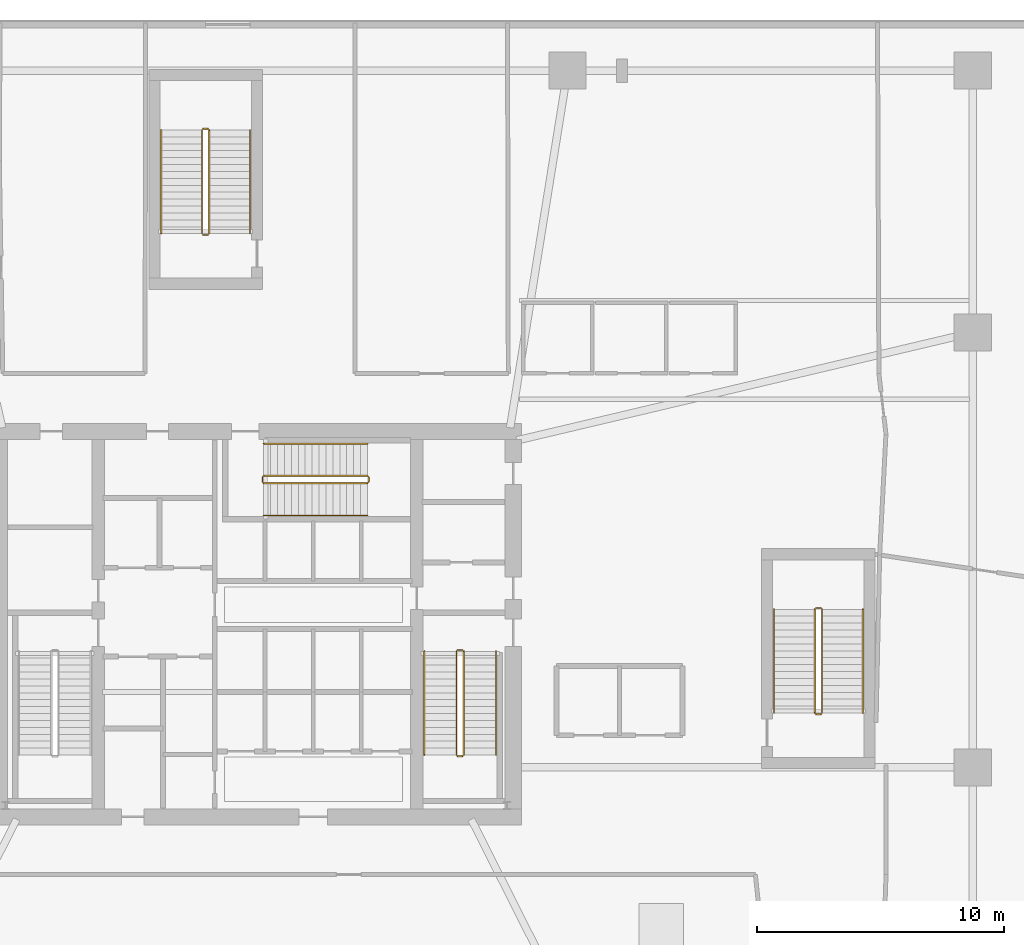
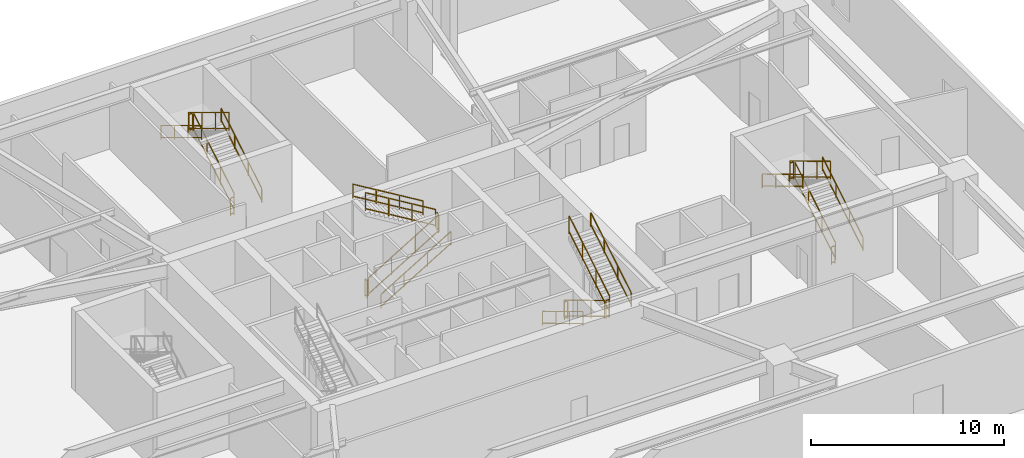
# One storey, part 10 of 11: 24 railings.
"""IFC4 building model written with IfcOpenShell, lengths in metres."""

from ifc_helpers import new_model, si_unit, direction, frame, origin, origin_2d, place, context, subcontext, project, spatial, rectangle, extrude, material, type_object, element, save


model = new_model("IFC4")

# Units and contexts
model_context = context("Model", 3, precision=1e-05, world=origin(), true_north=direction((0.0, 1.0)))
body_context = subcontext(model_context, "Body", "Model", "MODEL_VIEW")
ifc_project = project(units=[si_unit("LENGTHUNIT", "METRE"), si_unit("AREAUNIT", "SQUARE_METRE"), si_unit("VOLUMEUNIT", "CUBIC_METRE"), si_unit("PLANEANGLEUNIT", "RADIAN"), si_unit("MASSUNIT", "GRAM", prefix="KILO")], contexts=[model_context])

# Site, building, storey
site_placement = place(None, origin())
site = spatial("IfcSite", under=ifc_project, at=site_placement, CompositionType="ELEMENT")
building_placement = place(site_placement, origin())
building = spatial("IfcBuilding", under=site, at=building_placement, Name="Qarnah Convention Tower", CompositionType="ELEMENT")
storey_placement = place(building_placement, frame((0.0, 0.0, 10.800048828125)))
storey = spatial("IfcBuildingStorey", under=building, at=storey_placement, Name="L02", CompositionType="ELEMENT", Elevation=10.800048828125)

# Railings
ifc_material = material(Name="Structural steel S355JR", Category="steel")
railing_type_1 = type_object("IfcRailingType", Name="RL-STAIR-GUARD-1150", PredefinedType="GUARDRAIL", material=ifc_material)
railing_1_placement = place(storey_placement, frame((45.300048828125, 25.300048828125, 0.168701171875)))
element("IfcRailing", 1, at=railing_1_placement, inside=storey, type_object=railing_type_1, Name="L02 ST-2 stair guard 1", PredefinedType="GUARDRAIL", context=body_context, shape_type="SweptSolid", body=[
    extrude(rectangle(XDim=0.048095703125, YDim=0.048095703125, at=origin_2d()), frame((0.0, 0.0, 1.1259765625), z_axis=(0.0, -0.856476492594, 0.516186030065), x_axis=(1.0, 0.0, 0.0)), (0.0, 0.0, 1.0), 4.90380859375),
    extrude(rectangle(XDim=0.048095703125, YDim=0.048095703125, at=origin_2d()), frame((0.0, 0.0, 0.1201171875), z_axis=(0.0, -0.856476492594, 0.516186030065), x_axis=(1.0, 0.0, 0.0)), (0.0, 0.0, 1.0), 4.90380859375),
    extrude(rectangle(XDim=0.0419921875, YDim=0.0419921875, at=origin_2d()), origin(), (0.0, 0.0, 1.0), 1.101806640625),
    extrude(rectangle(XDim=0.0419921875, YDim=0.0419921875, at=origin_2d()), frame((0.0, -1.39990234375, 0.84375)), (0.0, 0.0, 1.0), 1.101806640625),
    extrude(rectangle(XDim=0.0419921875, YDim=0.0419921875, at=origin_2d()), frame((0.0, -2.800048828125, 1.6875)), (0.0, 0.0, 1.0), 1.101806640625),
    extrude(rectangle(XDim=0.0419921875, YDim=0.0419921875, at=origin_2d()), frame((0.0, -4.199951171875, 2.53125)), (0.0, 0.0, 1.0), 1.101806640625),
])
railing_2_placement = place(storey_placement, frame((45.35009765625, 21.050048828125, 2.699951171875)))
element("IfcRailing", 2, at=railing_2_placement, inside=storey, type_object=railing_type_1, Name="L02 ST-2 stair guard 2", PredefinedType="GUARDRAIL", context=body_context, shape_type="SweptSolid", body=[
    extrude(rectangle(XDim=0.048095703125, YDim=0.048095703125, at=origin_2d()), frame((0.0, 0.0, 1.1259765625), z_axis=(1.0, 0.0, 0.0), x_axis=(0.0, 1.0, 0.0)), (0.0, 0.0, 1.0), 0.199951171875),
    extrude(rectangle(XDim=0.048095703125, YDim=0.048095703125, at=origin_2d()), frame((0.0, 0.0, 0.1201171875), z_axis=(1.0, 0.0, 0.0), x_axis=(0.0, 1.0, 0.0)), (0.0, 0.0, 1.0), 0.199951171875),
    extrude(rectangle(XDim=0.0419921875, YDim=0.0419921875, at=origin_2d()), origin(), (0.0, 0.0, 1.0), 1.101806640625),
    extrude(rectangle(XDim=0.0419921875, YDim=0.0419921875, at=origin_2d()), frame((0.199951171875, 0.0, 0.0)), (0.0, 0.0, 1.0), 1.101806640625),
])
railing_3_placement = place(storey_placement, frame((45.60009765625, 21.10009765625, 2.86865234375)))
element("IfcRailing", 3, at=railing_3_placement, inside=storey, type_object=railing_type_1, Name="L02 ST-2 stair guard 3", PredefinedType="GUARDRAIL", context=body_context, shape_type="SweptSolid", body=[
    extrude(rectangle(XDim=0.048095703125, YDim=0.048095703125, at=origin_2d()), frame((0.0, 0.0, 1.1259765625), z_axis=(0.0, 0.856476492594, 0.516186030065), x_axis=(-1.0, 0.0, 0.0)), (0.0, 0.0, 1.0), 4.90380859375),
    extrude(rectangle(XDim=0.048095703125, YDim=0.048095703125, at=origin_2d()), frame((0.0, 0.0, 0.1201171875), z_axis=(0.0, 0.856476492594, 0.516186030065), x_axis=(-1.0, 0.0, 0.0)), (0.0, 0.0, 1.0), 4.90380859375),
    extrude(rectangle(XDim=0.0419921875, YDim=0.0419921875, at=origin_2d()), origin(), (0.0, 0.0, 1.0), 1.101806640625),
    extrude(rectangle(XDim=0.0419921875, YDim=0.0419921875, at=origin_2d()), frame((0.0, 1.39990234375, 0.84375)), (0.0, 0.0, 1.0), 1.101806640625),
    extrude(rectangle(XDim=0.0419921875, YDim=0.0419921875, at=origin_2d()), frame((0.0, 2.800048828125, 1.6875)), (0.0, 0.0, 1.0), 1.101806640625),
    extrude(rectangle(XDim=0.0419921875, YDim=0.0419921875, at=origin_2d()), frame((0.0, 4.199951171875, 2.53125)), (0.0, 0.0, 1.0), 1.101806640625),
])
railing_4_placement = place(storey_placement, frame((45.35009765625, 25.35009765625, 0.0)))
element("IfcRailing", 4, at=railing_4_placement, inside=storey, type_object=railing_type_1, Name="L02 ST-2 stair guard 4", PredefinedType="GUARDRAIL", context=body_context, shape_type="SweptSolid", body=[
    extrude(rectangle(XDim=0.048095703125, YDim=0.048095703125, at=origin_2d()), frame((0.0, 0.0, 1.1259765625), z_axis=(1.0, 0.0, 0.0), x_axis=(0.0, 1.0, 0.0)), (0.0, 0.0, 1.0), 0.199951171875),
    extrude(rectangle(XDim=0.048095703125, YDim=0.048095703125, at=origin_2d()), frame((0.0, 0.0, 0.1201171875), z_axis=(1.0, 0.0, 0.0), x_axis=(0.0, 1.0, 0.0)), (0.0, 0.0, 1.0), 0.199951171875),
    extrude(rectangle(XDim=0.0419921875, YDim=0.0419921875, at=origin_2d()), origin(), (0.0, 0.0, 1.0), 1.101806640625),
    extrude(rectangle(XDim=0.0419921875, YDim=0.0419921875, at=origin_2d()), frame((0.199951171875, 0.0, 0.0)), (0.0, 0.0, 1.0), 1.101806640625),
])
railing_5_placement = place(storey_placement, frame((37.5, 32.10009765625, 0.168701171875)))
element("IfcRailing", 5, at=railing_5_placement, inside=storey, type_object=railing_type_1, Name="L02 ST-3 stair guard 1", PredefinedType="GUARDRAIL", context=body_context, shape_type="SweptSolid", body=[
    extrude(rectangle(XDim=0.048095703125, YDim=0.048095703125, at=origin_2d()), frame((0.0, 0.0, 1.1259765625), z_axis=(0.856476492594, 0.0, 0.516186030065), x_axis=(0.0, 1.0, 0.0)), (0.0, 0.0, 1.0), 4.90380859375),
    extrude(rectangle(XDim=0.048095703125, YDim=0.048095703125, at=origin_2d()), frame((0.0, 0.0, 0.1201171875), z_axis=(0.856476492594, 0.0, 0.516186030065), x_axis=(0.0, 1.0, 0.0)), (0.0, 0.0, 1.0), 4.90380859375),
    extrude(rectangle(XDim=0.0419921875, YDim=0.0419921875, at=origin_2d()), origin(), (0.0, 0.0, 1.0), 1.101806640625),
    extrude(rectangle(XDim=0.0419921875, YDim=0.0419921875, at=origin_2d()), frame((1.39990234375, 0.0, 0.84375)), (0.0, 0.0, 1.0), 1.101806640625),
    extrude(rectangle(XDim=0.0419921875, YDim=0.0419921875, at=origin_2d()), frame((2.800048828125, 0.0, 1.6875)), (0.0, 0.0, 1.0), 1.101806640625),
    extrude(rectangle(XDim=0.0419921875, YDim=0.0419921875, at=origin_2d()), frame((4.199951171875, 0.0, 2.53125)), (0.0, 0.0, 1.0), 1.101806640625),
])
railing_6_placement = place(storey_placement, frame((41.75, 32.14990234375, 2.699951171875)))
element("IfcRailing", 6, at=railing_6_placement, inside=storey, type_object=railing_type_1, Name="L02 ST-3 stair guard 2", PredefinedType="GUARDRAIL", context=body_context, shape_type="SweptSolid", body=[
    extrude(rectangle(XDim=0.048095703125, YDim=0.048095703125, at=origin_2d()), frame((0.0, 0.0, 1.1259765625), z_axis=(0.0, 1.0, 0.0), x_axis=(-1.0, 0.0, 0.0)), (0.0, 0.0, 1.0), 0.2001953125),
    extrude(rectangle(XDim=0.048095703125, YDim=0.048095703125, at=origin_2d()), frame((0.0, 0.0, 0.1201171875), z_axis=(0.0, 1.0, 0.0), x_axis=(-1.0, 0.0, 0.0)), (0.0, 0.0, 1.0), 0.2001953125),
    extrude(rectangle(XDim=0.0419921875, YDim=0.0419921875, at=origin_2d()), origin(), (0.0, 0.0, 1.0), 1.101806640625),
    extrude(rectangle(XDim=0.0419921875, YDim=0.0419921875, at=origin_2d()), frame((0.0, 0.2001953125, 0.0)), (0.0, 0.0, 1.0), 1.101806640625),
])
railing_7_placement = place(storey_placement, frame((41.699951171875, 32.39990234375, 2.86865234375)))
element("IfcRailing", 7, at=railing_7_placement, inside=storey, type_object=railing_type_1, Name="L02 ST-3 stair guard 3", PredefinedType="GUARDRAIL", context=body_context, shape_type="SweptSolid", body=[
    extrude(rectangle(XDim=0.048095703125, YDim=0.048095703125, at=origin_2d()), frame((0.0, 0.0, 1.1259765625), z_axis=(-0.856476492594, 0.0, 0.516186030065), x_axis=(0.0, -1.0, 0.0)), (0.0, 0.0, 1.0), 4.90380859375),
    extrude(rectangle(XDim=0.048095703125, YDim=0.048095703125, at=origin_2d()), frame((0.0, 0.0, 0.1201171875), z_axis=(-0.856476492594, 0.0, 0.516186030065), x_axis=(0.0, -1.0, 0.0)), (0.0, 0.0, 1.0), 4.90380859375),
    extrude(rectangle(XDim=0.0419921875, YDim=0.0419921875, at=origin_2d()), origin(), (0.0, 0.0, 1.0), 1.101806640625),
    extrude(rectangle(XDim=0.0419921875, YDim=0.0419921875, at=origin_2d()), frame((-1.39990234375, 0.0, 0.84375)), (0.0, 0.0, 1.0), 1.101806640625),
    extrude(rectangle(XDim=0.0419921875, YDim=0.0419921875, at=origin_2d()), frame((-2.800048828125, 0.0, 1.6875)), (0.0, 0.0, 1.0), 1.101806640625),
    extrude(rectangle(XDim=0.0419921875, YDim=0.0419921875, at=origin_2d()), frame((-4.199951171875, 0.0, 2.53125)), (0.0, 0.0, 1.0), 1.101806640625),
])
railing_8_placement = place(storey_placement, frame((37.449951171875, 32.14990234375, 0.0)))
element("IfcRailing", 8, at=railing_8_placement, inside=storey, type_object=railing_type_1, Name="L02 ST-3 stair guard 4", PredefinedType="GUARDRAIL", context=body_context, shape_type="SweptSolid", body=[
    extrude(rectangle(XDim=0.048095703125, YDim=0.048095703125, at=origin_2d()), frame((0.0, 0.0, 1.1259765625), z_axis=(0.0, 1.0, 0.0), x_axis=(-1.0, 0.0, 0.0)), (0.0, 0.0, 1.0), 0.2001953125),
    extrude(rectangle(XDim=0.048095703125, YDim=0.048095703125, at=origin_2d()), frame((0.0, 0.0, 0.1201171875), z_axis=(0.0, 1.0, 0.0), x_axis=(-1.0, 0.0, 0.0)), (0.0, 0.0, 1.0), 0.2001953125),
    extrude(rectangle(XDim=0.0419921875, YDim=0.0419921875, at=origin_2d()), origin(), (0.0, 0.0, 1.0), 1.101806640625),
    extrude(rectangle(XDim=0.0419921875, YDim=0.0419921875, at=origin_2d()), frame((0.0, 0.2001953125, 0.0)), (0.0, 0.0, 1.0), 1.101806640625),
])
railing_9_placement = place(storey_placement, frame((60.10009765625, 22.800048828125, 0.168701171875)))
element("IfcRailing", 9, at=railing_9_placement, inside=storey, type_object=railing_type_1, Name="L02 ST-4 stair guard 1", PredefinedType="GUARDRAIL", context=body_context, shape_type="SweptSolid", body=[
    extrude(rectangle(XDim=0.048095703125, YDim=0.048095703125, at=origin_2d()), frame((0.0, 0.0, 1.1259765625), z_axis=(0.0, 0.856476492594, 0.516186030065), x_axis=(-1.0, 0.0, 0.0)), (0.0, 0.0, 1.0), 4.90380859375),
    extrude(rectangle(XDim=0.048095703125, YDim=0.048095703125, at=origin_2d()), frame((0.0, 0.0, 0.1201171875), z_axis=(0.0, 0.856476492594, 0.516186030065), x_axis=(-1.0, 0.0, 0.0)), (0.0, 0.0, 1.0), 4.90380859375),
    extrude(rectangle(XDim=0.0419921875, YDim=0.0419921875, at=origin_2d()), origin(), (0.0, 0.0, 1.0), 1.101806640625),
    extrude(rectangle(XDim=0.0419921875, YDim=0.0419921875, at=origin_2d()), frame((0.0, 1.39990234375, 0.84375)), (0.0, 0.0, 1.0), 1.101806640625),
    extrude(rectangle(XDim=0.0419921875, YDim=0.0419921875, at=origin_2d()), frame((0.0, 2.800048828125, 1.6875)), (0.0, 0.0, 1.0), 1.101806640625),
    extrude(rectangle(XDim=0.0419921875, YDim=0.0419921875, at=origin_2d()), frame((0.0, 4.199951171875, 2.53125)), (0.0, 0.0, 1.0), 1.101806640625),
])
railing_10_placement = place(storey_placement, frame((60.050048828125, 27.050048828125, 2.699951171875)))
element("IfcRailing", 10, at=railing_10_placement, inside=storey, type_object=railing_type_1, Name="L02 ST-4 stair guard 2", PredefinedType="GUARDRAIL", context=body_context, shape_type="SweptSolid", body=[
    extrude(rectangle(XDim=0.048095703125, YDim=0.048095703125, at=origin_2d()), frame((0.0, 0.0, 1.1259765625), z_axis=(-1.0, 0.0, 0.0), x_axis=(0.0, -1.0, 0.0)), (0.0, 0.0, 1.0), 0.199951171875),
    extrude(rectangle(XDim=0.048095703125, YDim=0.048095703125, at=origin_2d()), frame((0.0, 0.0, 0.1201171875), z_axis=(-1.0, 0.0, 0.0), x_axis=(0.0, -1.0, 0.0)), (0.0, 0.0, 1.0), 0.199951171875),
    extrude(rectangle(XDim=0.0419921875, YDim=0.0419921875, at=origin_2d()), origin(), (0.0, 0.0, 1.0), 1.101806640625),
    extrude(rectangle(XDim=0.0419921875, YDim=0.0419921875, at=origin_2d()), frame((-0.199951171875, 0.0, 0.0)), (0.0, 0.0, 1.0), 1.101806640625),
])
railing_11_placement = place(storey_placement, frame((59.800048828125, 27.0, 2.86865234375)))
element("IfcRailing", 11, at=railing_11_placement, inside=storey, type_object=railing_type_1, Name="L02 ST-4 stair guard 3", PredefinedType="GUARDRAIL", context=body_context, shape_type="SweptSolid", body=[
    extrude(rectangle(XDim=0.048095703125, YDim=0.048095703125, at=origin_2d()), frame((0.0, 0.0, 1.1259765625), z_axis=(0.0, -0.856476492594, 0.516186030065), x_axis=(1.0, 0.0, 0.0)), (0.0, 0.0, 1.0), 4.90380859375),
    extrude(rectangle(XDim=0.048095703125, YDim=0.048095703125, at=origin_2d()), frame((0.0, 0.0, 0.1201171875), z_axis=(0.0, -0.856476492594, 0.516186030065), x_axis=(1.0, 0.0, 0.0)), (0.0, 0.0, 1.0), 4.90380859375),
    extrude(rectangle(XDim=0.0419921875, YDim=0.0419921875, at=origin_2d()), origin(), (0.0, 0.0, 1.0), 1.101806640625),
    extrude(rectangle(XDim=0.0419921875, YDim=0.0419921875, at=origin_2d()), frame((0.0, -1.39990234375, 0.84375)), (0.0, 0.0, 1.0), 1.101806640625),
    extrude(rectangle(XDim=0.0419921875, YDim=0.0419921875, at=origin_2d()), frame((0.0, -2.800048828125, 1.6875)), (0.0, 0.0, 1.0), 1.101806640625),
    extrude(rectangle(XDim=0.0419921875, YDim=0.0419921875, at=origin_2d()), frame((0.0, -4.199951171875, 2.53125)), (0.0, 0.0, 1.0), 1.101806640625),
])
railing_12_placement = place(storey_placement, frame((60.050048828125, 22.75, 0.0)))
element("IfcRailing", 12, at=railing_12_placement, inside=storey, type_object=railing_type_1, Name="L02 ST-4 stair guard 4", PredefinedType="GUARDRAIL", context=body_context, shape_type="SweptSolid", body=[
    extrude(rectangle(XDim=0.048095703125, YDim=0.048095703125, at=origin_2d()), frame((0.0, 0.0, 1.1259765625), z_axis=(-1.0, 0.0, 0.0), x_axis=(0.0, -1.0, 0.0)), (0.0, 0.0, 1.0), 0.199951171875),
    extrude(rectangle(XDim=0.048095703125, YDim=0.048095703125, at=origin_2d()), frame((0.0, 0.0, 0.1201171875), z_axis=(-1.0, 0.0, 0.0), x_axis=(0.0, -1.0, 0.0)), (0.0, 0.0, 1.0), 0.199951171875),
    extrude(rectangle(XDim=0.0419921875, YDim=0.0419921875, at=origin_2d()), origin(), (0.0, 0.0, 1.0), 1.101806640625),
    extrude(rectangle(XDim=0.0419921875, YDim=0.0419921875, at=origin_2d()), frame((-0.199951171875, 0.0, 0.0)), (0.0, 0.0, 1.0), 1.101806640625),
])
railing_13_placement = place(storey_placement, frame((35.300048828125, 42.199951171875, 0.168701171875)))
element("IfcRailing", 13, at=railing_13_placement, inside=storey, type_object=railing_type_1, Name="L02 ST-6 stair guard 1", PredefinedType="GUARDRAIL", context=body_context, shape_type="SweptSolid", body=[
    extrude(rectangle(XDim=0.048095703125, YDim=0.048095703125, at=origin_2d()), frame((0.0, 0.0, 1.1259765625), z_axis=(0.0, 0.856476492594, 0.516186030065), x_axis=(-1.0, 0.0, 0.0)), (0.0, 0.0, 1.0), 4.90380859375),
    extrude(rectangle(XDim=0.048095703125, YDim=0.048095703125, at=origin_2d()), frame((0.0, 0.0, 0.1201171875), z_axis=(0.0, 0.856476492594, 0.516186030065), x_axis=(-1.0, 0.0, 0.0)), (0.0, 0.0, 1.0), 4.90380859375),
    extrude(rectangle(XDim=0.0419921875, YDim=0.0419921875, at=origin_2d()), origin(), (0.0, 0.0, 1.0), 1.101806640625),
    extrude(rectangle(XDim=0.0419921875, YDim=0.0419921875, at=origin_2d()), frame((0.0, 1.39990234375, 0.84375)), (0.0, 0.0, 1.0), 1.101806640625),
    extrude(rectangle(XDim=0.0419921875, YDim=0.0419921875, at=origin_2d()), frame((0.0, 2.800048828125, 1.6875)), (0.0, 0.0, 1.0), 1.101806640625),
    extrude(rectangle(XDim=0.0419921875, YDim=0.0419921875, at=origin_2d()), frame((0.0, 4.199951171875, 2.53125)), (0.0, 0.0, 1.0), 1.101806640625),
])
railing_14_placement = place(storey_placement, frame((35.25, 46.449951171875, 2.699951171875)))
element("IfcRailing", 14, at=railing_14_placement, inside=storey, type_object=railing_type_1, Name="L02 ST-6 stair guard 2", PredefinedType="GUARDRAIL", context=body_context, shape_type="SweptSolid", body=[
    extrude(rectangle(XDim=0.048095703125, YDim=0.048095703125, at=origin_2d()), frame((0.0, 0.0, 1.1259765625), z_axis=(-1.0, 0.0, 0.0), x_axis=(0.0, -1.0, 0.0)), (0.0, 0.0, 1.0), 0.199951171875),
    extrude(rectangle(XDim=0.048095703125, YDim=0.048095703125, at=origin_2d()), frame((0.0, 0.0, 0.1201171875), z_axis=(-1.0, 0.0, 0.0), x_axis=(0.0, -1.0, 0.0)), (0.0, 0.0, 1.0), 0.199951171875),
    extrude(rectangle(XDim=0.0419921875, YDim=0.0419921875, at=origin_2d()), origin(), (0.0, 0.0, 1.0), 1.101806640625),
    extrude(rectangle(XDim=0.0419921875, YDim=0.0419921875, at=origin_2d()), frame((-0.199951171875, 0.0, 0.0)), (0.0, 0.0, 1.0), 1.101806640625),
])
railing_15_placement = place(storey_placement, frame((35.0, 46.39990234375, 2.86865234375)))
element("IfcRailing", 15, at=railing_15_placement, inside=storey, type_object=railing_type_1, Name="L02 ST-6 stair guard 3", PredefinedType="GUARDRAIL", context=body_context, shape_type="SweptSolid", body=[
    extrude(rectangle(XDim=0.048095703125, YDim=0.048095703125, at=origin_2d()), frame((0.0, 0.0, 1.1259765625), z_axis=(0.0, -0.856476492594, 0.516186030065), x_axis=(1.0, 0.0, 0.0)), (0.0, 0.0, 1.0), 4.90380859375),
    extrude(rectangle(XDim=0.048095703125, YDim=0.048095703125, at=origin_2d()), frame((0.0, 0.0, 0.1201171875), z_axis=(0.0, -0.856476492594, 0.516186030065), x_axis=(1.0, 0.0, 0.0)), (0.0, 0.0, 1.0), 4.90380859375),
    extrude(rectangle(XDim=0.0419921875, YDim=0.0419921875, at=origin_2d()), origin(), (0.0, 0.0, 1.0), 1.101806640625),
    extrude(rectangle(XDim=0.0419921875, YDim=0.0419921875, at=origin_2d()), frame((0.0, -1.39990234375, 0.84375)), (0.0, 0.0, 1.0), 1.101806640625),
    extrude(rectangle(XDim=0.0419921875, YDim=0.0419921875, at=origin_2d()), frame((0.0, -2.800048828125, 1.6875)), (0.0, 0.0, 1.0), 1.101806640625),
    extrude(rectangle(XDim=0.0419921875, YDim=0.0419921875, at=origin_2d()), frame((0.0, -4.199951171875, 2.53125)), (0.0, 0.0, 1.0), 1.101806640625),
])
railing_16_placement = place(storey_placement, frame((35.25, 42.14990234375, 0.0)))
element("IfcRailing", 16, at=railing_16_placement, inside=storey, type_object=railing_type_1, Name="L02 ST-6 stair guard 4", PredefinedType="GUARDRAIL", context=body_context, shape_type="SweptSolid", body=[
    extrude(rectangle(XDim=0.048095703125, YDim=0.048095703125, at=origin_2d()), frame((0.0, 0.0, 1.1259765625), z_axis=(-1.0, 0.0, 0.0), x_axis=(0.0, -1.0, 0.0)), (0.0, 0.0, 1.0), 0.199951171875),
    extrude(rectangle(XDim=0.048095703125, YDim=0.048095703125, at=origin_2d()), frame((0.0, 0.0, 0.1201171875), z_axis=(-1.0, 0.0, 0.0), x_axis=(0.0, -1.0, 0.0)), (0.0, 0.0, 1.0), 0.199951171875),
    extrude(rectangle(XDim=0.0419921875, YDim=0.0419921875, at=origin_2d()), origin(), (0.0, 0.0, 1.0), 1.101806640625),
    extrude(rectangle(XDim=0.0419921875, YDim=0.0419921875, at=origin_2d()), frame((-0.199951171875, 0.0, 0.0)), (0.0, 0.0, 1.0), 1.101806640625),
])
railing_type_2 = type_object("IfcRailingType", Name="RL-STAIR-HAND-900", PredefinedType="HANDRAIL", material=ifc_material)
railing_17_placement = place(storey_placement, frame((44.0, 25.300048828125, 0.168701171875)))
element("IfcRailing", 17, at=railing_17_placement, inside=storey, type_object=railing_type_2, Name="L02 ST-2 stair handrail 1", PredefinedType="HANDRAIL", context=body_context, shape_type="SweptSolid", body=[
    extrude(rectangle(XDim=0.048095703125, YDim=0.048095703125, at=origin_2d()), frame((0.0, 0.0, 0.8759765625), z_axis=(0.0, -0.856476492594, 0.516186030065), x_axis=(1.0, 0.0, 0.0)), (0.0, 0.0, 1.0), 4.90380859375),
    extrude(rectangle(XDim=0.048095703125, YDim=0.048095703125, at=origin_2d()), frame((0.0, 0.0, 0.1201171875), z_axis=(0.0, -0.856476492594, 0.516186030065), x_axis=(1.0, 0.0, 0.0)), (0.0, 0.0, 1.0), 4.90380859375),
    extrude(rectangle(XDim=0.0419921875, YDim=0.0419921875, at=origin_2d()), origin(), (0.0, 0.0, 1.0), 0.851806640625),
    extrude(rectangle(XDim=0.0419921875, YDim=0.0419921875, at=origin_2d()), frame((0.0, -1.39990234375, 0.84375)), (0.0, 0.0, 1.0), 0.851806640625),
    extrude(rectangle(XDim=0.0419921875, YDim=0.0419921875, at=origin_2d()), frame((0.0, -2.800048828125, 1.6875)), (0.0, 0.0, 1.0), 0.851806640625),
    extrude(rectangle(XDim=0.0419921875, YDim=0.0419921875, at=origin_2d()), frame((0.0, -4.199951171875, 2.53125)), (0.0, 0.0, 1.0), 0.851806640625),
])
railing_18_placement = place(storey_placement, frame((46.89990234375, 21.10009765625, 2.86865234375)))
element("IfcRailing", 18, at=railing_18_placement, inside=storey, type_object=railing_type_2, Name="L02 ST-2 stair handrail 2", PredefinedType="HANDRAIL", context=body_context, shape_type="SweptSolid", body=[
    extrude(rectangle(XDim=0.048095703125, YDim=0.048095703125, at=origin_2d()), frame((0.0, 0.0, 0.8759765625), z_axis=(0.0, 0.856476492594, 0.516186030065), x_axis=(-1.0, 0.0, 0.0)), (0.0, 0.0, 1.0), 4.90380859375),
    extrude(rectangle(XDim=0.048095703125, YDim=0.048095703125, at=origin_2d()), frame((0.0, 0.0, 0.1201171875), z_axis=(0.0, 0.856476492594, 0.516186030065), x_axis=(-1.0, 0.0, 0.0)), (0.0, 0.0, 1.0), 4.90380859375),
    extrude(rectangle(XDim=0.0419921875, YDim=0.0419921875, at=origin_2d()), origin(), (0.0, 0.0, 1.0), 0.851806640625),
    extrude(rectangle(XDim=0.0419921875, YDim=0.0419921875, at=origin_2d()), frame((0.0, 1.39990234375, 0.84375)), (0.0, 0.0, 1.0), 0.851806640625),
    extrude(rectangle(XDim=0.0419921875, YDim=0.0419921875, at=origin_2d()), frame((0.0, 2.800048828125, 1.6875)), (0.0, 0.0, 1.0), 0.851806640625),
    extrude(rectangle(XDim=0.0419921875, YDim=0.0419921875, at=origin_2d()), frame((0.0, 4.199951171875, 2.53125)), (0.0, 0.0, 1.0), 0.851806640625),
])
railing_19_placement = place(storey_placement, frame((37.5, 30.800048828125, 0.168701171875)))
element("IfcRailing", 19, at=railing_19_placement, inside=storey, type_object=railing_type_2, Name="L02 ST-3 stair handrail 1", PredefinedType="HANDRAIL", context=body_context, shape_type="SweptSolid", body=[
    extrude(rectangle(XDim=0.048095703125, YDim=0.048095703125, at=origin_2d()), frame((0.0, 0.0, 0.8759765625), z_axis=(0.856476492594, 0.0, 0.516186030065), x_axis=(0.0, 1.0, 0.0)), (0.0, 0.0, 1.0), 4.90380859375),
    extrude(rectangle(XDim=0.048095703125, YDim=0.048095703125, at=origin_2d()), frame((0.0, 0.0, 0.1201171875), z_axis=(0.856476492594, 0.0, 0.516186030065), x_axis=(0.0, 1.0, 0.0)), (0.0, 0.0, 1.0), 4.90380859375),
    extrude(rectangle(XDim=0.0419921875, YDim=0.0419921875, at=origin_2d()), origin(), (0.0, 0.0, 1.0), 0.851806640625),
    extrude(rectangle(XDim=0.0419921875, YDim=0.0419921875, at=origin_2d()), frame((1.39990234375, 0.0, 0.84375)), (0.0, 0.0, 1.0), 0.851806640625),
    extrude(rectangle(XDim=0.0419921875, YDim=0.0419921875, at=origin_2d()), frame((2.800048828125, 0.0, 1.6875)), (0.0, 0.0, 1.0), 0.851806640625),
    extrude(rectangle(XDim=0.0419921875, YDim=0.0419921875, at=origin_2d()), frame((4.199951171875, 0.0, 2.53125)), (0.0, 0.0, 1.0), 0.851806640625),
])
railing_20_placement = place(storey_placement, frame((41.699951171875, 33.699951171875, 2.86865234375)))
element("IfcRailing", 20, at=railing_20_placement, inside=storey, type_object=railing_type_2, Name="L02 ST-3 stair handrail 2", PredefinedType="HANDRAIL", context=body_context, shape_type="SweptSolid", body=[
    extrude(rectangle(XDim=0.048095703125, YDim=0.048095703125, at=origin_2d()), frame((0.0, 0.0, 0.8759765625), z_axis=(-0.856476492594, 0.0, 0.516186030065), x_axis=(0.0, -1.0, 0.0)), (0.0, 0.0, 1.0), 4.90380859375),
    extrude(rectangle(XDim=0.048095703125, YDim=0.048095703125, at=origin_2d()), frame((0.0, 0.0, 0.1201171875), z_axis=(-0.856476492594, 0.0, 0.516186030065), x_axis=(0.0, -1.0, 0.0)), (0.0, 0.0, 1.0), 4.90380859375),
    extrude(rectangle(XDim=0.0419921875, YDim=0.0419921875, at=origin_2d()), origin(), (0.0, 0.0, 1.0), 0.851806640625),
    extrude(rectangle(XDim=0.0419921875, YDim=0.0419921875, at=origin_2d()), frame((-1.39990234375, 0.0, 0.84375)), (0.0, 0.0, 1.0), 0.851806640625),
    extrude(rectangle(XDim=0.0419921875, YDim=0.0419921875, at=origin_2d()), frame((-2.800048828125, 0.0, 1.6875)), (0.0, 0.0, 1.0), 0.851806640625),
    extrude(rectangle(XDim=0.0419921875, YDim=0.0419921875, at=origin_2d()), frame((-4.199951171875, 0.0, 2.53125)), (0.0, 0.0, 1.0), 0.851806640625),
])
railing_21_placement = place(storey_placement, frame((61.75, 22.800048828125, 0.168701171875)))
element("IfcRailing", 21, at=railing_21_placement, inside=storey, type_object=railing_type_2, Name="L02 ST-4 stair handrail 1", PredefinedType="HANDRAIL", context=body_context, shape_type="SweptSolid", body=[
    extrude(rectangle(XDim=0.048095703125, YDim=0.048095703125, at=origin_2d()), frame((0.0, 0.0, 0.8759765625), z_axis=(0.0, 0.856476492594, 0.516186030065), x_axis=(-1.0, 0.0, 0.0)), (0.0, 0.0, 1.0), 4.90380859375),
    extrude(rectangle(XDim=0.048095703125, YDim=0.048095703125, at=origin_2d()), frame((0.0, 0.0, 0.1201171875), z_axis=(0.0, 0.856476492594, 0.516186030065), x_axis=(-1.0, 0.0, 0.0)), (0.0, 0.0, 1.0), 4.90380859375),
    extrude(rectangle(XDim=0.0419921875, YDim=0.0419921875, at=origin_2d()), origin(), (0.0, 0.0, 1.0), 0.851806640625),
    extrude(rectangle(XDim=0.0419921875, YDim=0.0419921875, at=origin_2d()), frame((0.0, 1.39990234375, 0.84375)), (0.0, 0.0, 1.0), 0.851806640625),
    extrude(rectangle(XDim=0.0419921875, YDim=0.0419921875, at=origin_2d()), frame((0.0, 2.800048828125, 1.6875)), (0.0, 0.0, 1.0), 0.851806640625),
    extrude(rectangle(XDim=0.0419921875, YDim=0.0419921875, at=origin_2d()), frame((0.0, 4.199951171875, 2.53125)), (0.0, 0.0, 1.0), 0.851806640625),
])
railing_22_placement = place(storey_placement, frame((58.14990234375, 27.0, 2.86865234375)))
element("IfcRailing", 22, at=railing_22_placement, inside=storey, type_object=railing_type_2, Name="L02 ST-4 stair handrail 2", PredefinedType="HANDRAIL", context=body_context, shape_type="SweptSolid", body=[
    extrude(rectangle(XDim=0.048095703125, YDim=0.048095703125, at=origin_2d()), frame((0.0, 0.0, 0.8759765625), z_axis=(0.0, -0.856476492594, 0.516186030065), x_axis=(1.0, 0.0, 0.0)), (0.0, 0.0, 1.0), 4.90380859375),
    extrude(rectangle(XDim=0.048095703125, YDim=0.048095703125, at=origin_2d()), frame((0.0, 0.0, 0.1201171875), z_axis=(0.0, -0.856476492594, 0.516186030065), x_axis=(1.0, 0.0, 0.0)), (0.0, 0.0, 1.0), 4.90380859375),
    extrude(rectangle(XDim=0.0419921875, YDim=0.0419921875, at=origin_2d()), origin(), (0.0, 0.0, 1.0), 0.851806640625),
    extrude(rectangle(XDim=0.0419921875, YDim=0.0419921875, at=origin_2d()), frame((0.0, -1.39990234375, 0.84375)), (0.0, 0.0, 1.0), 0.851806640625),
    extrude(rectangle(XDim=0.0419921875, YDim=0.0419921875, at=origin_2d()), frame((0.0, -2.800048828125, 1.6875)), (0.0, 0.0, 1.0), 0.851806640625),
    extrude(rectangle(XDim=0.0419921875, YDim=0.0419921875, at=origin_2d()), frame((0.0, -4.199951171875, 2.53125)), (0.0, 0.0, 1.0), 0.851806640625),
])
railing_23_placement = place(storey_placement, frame((36.949951171875, 42.199951171875, 0.168701171875)))
element("IfcRailing", 23, at=railing_23_placement, inside=storey, type_object=railing_type_2, Name="L02 ST-6 stair handrail 1", PredefinedType="HANDRAIL", context=body_context, shape_type="SweptSolid", body=[
    extrude(rectangle(XDim=0.048095703125, YDim=0.048095703125, at=origin_2d()), frame((0.0, 0.0, 0.8759765625), z_axis=(0.0, 0.856476492594, 0.516186030065), x_axis=(-1.0, 0.0, 0.0)), (0.0, 0.0, 1.0), 4.90380859375),
    extrude(rectangle(XDim=0.048095703125, YDim=0.048095703125, at=origin_2d()), frame((0.0, 0.0, 0.1201171875), z_axis=(0.0, 0.856476492594, 0.516186030065), x_axis=(-1.0, 0.0, 0.0)), (0.0, 0.0, 1.0), 4.90380859375),
    extrude(rectangle(XDim=0.0419921875, YDim=0.0419921875, at=origin_2d()), origin(), (0.0, 0.0, 1.0), 0.851806640625),
    extrude(rectangle(XDim=0.0419921875, YDim=0.0419921875, at=origin_2d()), frame((0.0, 1.39990234375, 0.84375)), (0.0, 0.0, 1.0), 0.851806640625),
    extrude(rectangle(XDim=0.0419921875, YDim=0.0419921875, at=origin_2d()), frame((0.0, 2.800048828125, 1.6875)), (0.0, 0.0, 1.0), 0.851806640625),
    extrude(rectangle(XDim=0.0419921875, YDim=0.0419921875, at=origin_2d()), frame((0.0, 4.199951171875, 2.53125)), (0.0, 0.0, 1.0), 0.851806640625),
])
railing_24_placement = place(storey_placement, frame((33.35009765625, 46.39990234375, 2.86865234375)))
element("IfcRailing", 24, at=railing_24_placement, inside=storey, type_object=railing_type_2, Name="L02 ST-6 stair handrail 2", PredefinedType="HANDRAIL", context=body_context, shape_type="SweptSolid", body=[
    extrude(rectangle(XDim=0.048095703125, YDim=0.048095703125, at=origin_2d()), frame((0.0, 0.0, 0.8759765625), z_axis=(0.0, -0.856476492594, 0.516186030065), x_axis=(1.0, 0.0, 0.0)), (0.0, 0.0, 1.0), 4.90380859375),
    extrude(rectangle(XDim=0.048095703125, YDim=0.048095703125, at=origin_2d()), frame((0.0, 0.0, 0.1201171875), z_axis=(0.0, -0.856476492594, 0.516186030065), x_axis=(1.0, 0.0, 0.0)), (0.0, 0.0, 1.0), 4.90380859375),
    extrude(rectangle(XDim=0.0419921875, YDim=0.0419921875, at=origin_2d()), origin(), (0.0, 0.0, 1.0), 0.851806640625),
    extrude(rectangle(XDim=0.0419921875, YDim=0.0419921875, at=origin_2d()), frame((0.0, -1.39990234375, 0.84375)), (0.0, 0.0, 1.0), 0.851806640625),
    extrude(rectangle(XDim=0.0419921875, YDim=0.0419921875, at=origin_2d()), frame((0.0, -2.800048828125, 1.6875)), (0.0, 0.0, 1.0), 0.851806640625),
    extrude(rectangle(XDim=0.0419921875, YDim=0.0419921875, at=origin_2d()), frame((0.0, -4.199951171875, 2.53125)), (0.0, 0.0, 1.0), 0.851806640625),
])

save(model, "model.ifc")
